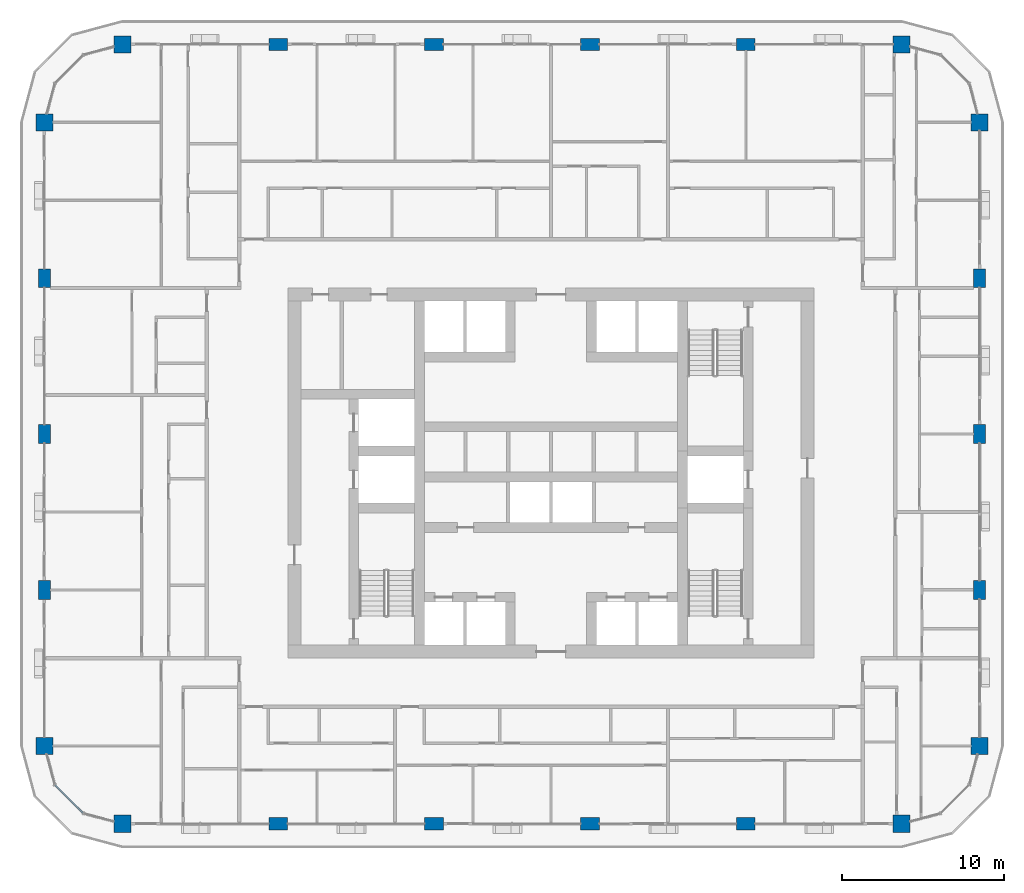
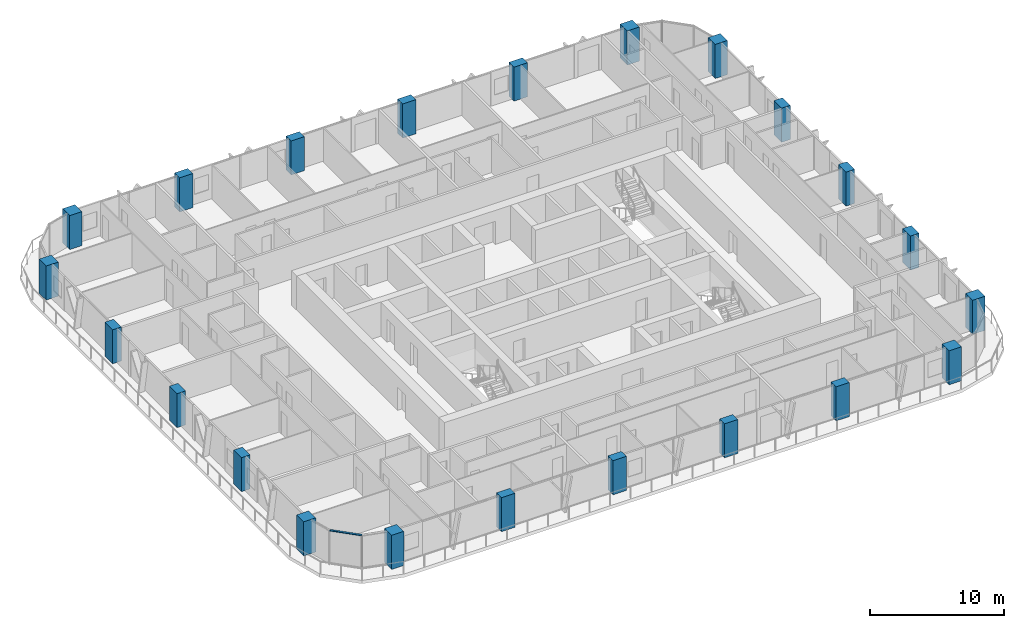
# One storey, part 1 of 22: 22 columns, 1 member, 1 element without a shape of its own.
"""IFC4 building model written with IfcOpenShell, lengths in metres."""

from ifc_helpers import new_model, si_unit, direction, frame, origin, origin_2d, place, context, subcontext, project, spatial, rectangle, extrude, material, layer, layer_set, material_profile, profile_set, type_object, element, aggregate, save


model = new_model("IFC4")

# Units and contexts
model_context = context("Model", 3, precision=1e-05, world=origin(), true_north=direction((0.0, 1.0)))
body_context = subcontext(model_context, "Body", "Model", "MODEL_VIEW")
ifc_project = project(units=[si_unit("LENGTHUNIT", "METRE"), si_unit("AREAUNIT", "SQUARE_METRE"), si_unit("VOLUMEUNIT", "CUBIC_METRE"), si_unit("PLANEANGLEUNIT", "RADIAN"), si_unit("MASSUNIT", "GRAM", prefix="KILO")], contexts=[model_context])

# Site, building, storey
site_placement = place(None, origin())
site = spatial("IfcSite", under=ifc_project, at=site_placement, CompositionType="ELEMENT")
building_placement = place(site_placement, origin())
building = spatial("IfcBuilding", under=site, at=building_placement, Name="Madar Terraces", CompositionType="ELEMENT")
storey_placement = place(building_placement, frame((0.0, 0.0, 140.10009765625)))
storey = spatial("IfcBuildingStorey", under=building, at=storey_placement, Name="L36", CompositionType="ELEMENT", Elevation=140.10009765625)

# Columns
ifc_material_1 = material(Name="Concrete C70/85", Category="concrete")
ifc_material_profile_1 = material_profile(ifc_material_1, rectangle(XDim=1.14990234375, YDim=0.75, at=origin_2d()), Name="CC3 RC 1150x750")
ifc_profile_set_1 = profile_set([ifc_material_profile_1], Name="Concrete C70/85")
column_type_1 = type_object("IfcColumnType", Name="CC3 RC 1150x750", PredefinedType="COLUMN", material=ifc_profile_set_1)
for number, where, z_axis, x_axis, name in (
    (1, (14.39990234375, 4.800048828125, 0.0), (0.0, 0.0, 1.0), (1.0, 0.0, 0.0), "Perimeter column S2"),
    (2, (24.0, 4.800048828125, 0.0), (0.0, 0.0, 1.0), (1.0, 0.0, 0.0), "Perimeter column S3"),
    (3, (33.60009765625, 4.800048828125, 0.0), (0.0, 0.0, 1.0), (1.0, 0.0, 0.0), "Perimeter column S4"),
    (4, (43.199951171875, 4.800048828125, 0.0), (0.0, 0.0, 1.0), (1.0, 0.0, 0.0), "Perimeter column S5"),
    (5, (57.60009765625, 19.199951171875, 0.0), (0.0, 0.0, 1.0), (0.0, 1.0, 0.0), "Perimeter column E2"),
    (6, (57.60009765625, 28.800048828125, 0.0), (0.0, 0.0, 1.0), (0.0, 1.0, 0.0), "Perimeter column E3"),
    (7, (57.60009765625, 38.39990234375, 0.0), (0.0, 0.0, 1.0), (0.0, 1.0, 0.0), "Perimeter column E4"),
    (8, (43.199951171875, 52.800048828125, 0.0), (0.0, 0.0, 1.0), (1.0, 0.0, 0.0), "Perimeter column N2"),
    (9, (33.60009765625, 52.800048828125, 0.0), (0.0, 0.0, 1.0), (1.0, 0.0, 0.0), "Perimeter column N3"),
    (10, (24.0, 52.800048828125, 0.0), (0.0, 0.0, 1.0), (1.0, 0.0, 0.0), "Perimeter column N4"),
    (11, (14.39990234375, 52.800048828125, 0.0), (0.0, 0.0, 1.0), (1.0, 0.0, 0.0), "Perimeter column N5"),
    (12, (0.0, 38.39990234375, 0.0), (0.0, 0.0, 1.0), (0.0, 1.0, 0.0), "Perimeter column W2"),
    (13, (0.0, 28.800048828125, 0.0), (0.0, 0.0, 1.0), (0.0, 1.0, 0.0), "Perimeter column W3"),
    (14, (0.0, 19.199951171875, 0.0), (0.0, 0.0, 1.0), (0.0, 1.0, 0.0), "Perimeter column W4"),
):
    element("IfcColumn", number, at=place(storey_placement, frame(where, z_axis=z_axis, x_axis=x_axis)), inside=storey, type_object=column_type_1, Name=name, PredefinedType="COLUMN", context=body_context, shape_type="SweptSolid", body=[
        extrude(rectangle(XDim=1.14990234375, YDim=0.75, at=origin_2d()), origin(), (0.0, 0.0, 1.0), 3.099853515625),
    ])
ifc_material_2 = material(Name="Concrete C70/85", Category="concrete")
ifc_material_profile_2 = material_profile(ifc_material_2, rectangle(XDim=1.050048828125, YDim=1.050048828125, at=origin_2d()), Name="KC3 RC 1050x1050")
ifc_profile_set_2 = profile_set([ifc_material_profile_2], Name="Concrete C70/85")
column_type_2 = type_object("IfcColumnType", Name="KC3 RC 1050x1050", PredefinedType="COLUMN", material=ifc_profile_set_2)
for number, where, z_axis, x_axis, name in (
    (15, (4.800048828125, 4.800048828125, 0.0), (0.0, 0.0, 1.0), (1.0, 0.0, 0.0), "Perimeter column S1"),
    (16, (52.800048828125, 4.800048828125, 0.0), (0.0, 0.0, 1.0), (1.0, 0.0, 0.0), "Perimeter column S6"),
    (17, (57.60009765625, 9.60009765625, 0.0), (0.0, 0.0, 1.0), (1.0, 0.0, 0.0), "Perimeter column E1"),
    (18, (57.60009765625, 48.0, 0.0), (0.0, 0.0, 1.0), (1.0, 0.0, 0.0), "Perimeter column E5"),
    (19, (52.800048828125, 52.800048828125, 0.0), (0.0, 0.0, 1.0), (1.0, 0.0, 0.0), "Perimeter column N1"),
    (20, (4.800048828125, 52.800048828125, 0.0), (0.0, 0.0, 1.0), (1.0, 0.0, 0.0), "Perimeter column N6"),
    (21, (0.0, 48.0, 0.0), (0.0, 0.0, 1.0), (1.0, 0.0, 0.0), "Perimeter column W1"),
    (22, (0.0, 9.60009765625, 0.0), (0.0, 0.0, 1.0), (1.0, 0.0, 0.0), "Perimeter column W5"),
):
    element("IfcColumn", number, at=place(storey_placement, frame(where, z_axis=z_axis, x_axis=x_axis)), inside=storey, type_object=column_type_2, Name=name, PredefinedType="COLUMN", context=body_context, shape_type="SweptSolid", body=[
        extrude(rectangle(XDim=1.050048828125, YDim=1.050048828125, at=origin_2d()), origin(), (0.0, 0.0, 1.0), 3.099853515625),
    ])

# Curtain wall, member
ifc_material_3 = material(Name="Glass, ceramic frit dark grey, with black aluminium frame", Category="aluminium")
ifc_layer = layer(ifc_material_3, 0.199951171875)
ifc_layer_set = layer_set([ifc_layer], Name="Facade curtain wall, fritted glass")
curtain_wall_type = type_object("IfcCurtainWallType", Name="Facade curtain wall, fritted glass", PredefinedType="NOTDEFINED", material=ifc_layer_set)
curtain_wall_placement = place(storey_placement, origin())
curtain_wall = element("IfcCurtainWall", 23, at=curtain_wall_placement, inside=storey, type_object=curtain_wall_type, Name="Outer skin curtain wall south-west corner", PredefinedType="NOTDEFINED")
ifc_material_4 = material(Name="Aluminium, black anodised", Category="aluminium")
ifc_material_profile_3 = material_profile(ifc_material_4, rectangle(XDim=0.1201171875, YDim=0.06005859375, at=origin_2d()), Name="Facade transom 60x120")
ifc_profile_set_3 = profile_set([ifc_material_profile_3], Name="Aluminium, black anodised")
member_type = type_object("IfcMemberType", Name="Facade transom 60x120", PredefinedType="USERDEFINED", material=ifc_profile_set_3)
member_placement = place(storey_placement, frame((0.664306640625, 7.1787109375, 3.06982421875), z_axis=(0.707157125196, -0.707056433593, 0.0), x_axis=(0.707056433593, 0.707157125196, 0.0)))
member = element("IfcMember", 24, at=member_placement, type_object=member_type, Name="Transom 2", ObjectType="TRANSOM", PredefinedType="USERDEFINED", context=body_context, shape_type="SweptSolid", body=[
    extrude(rectangle(XDim=0.1201171875, YDim=0.06005859375, at=origin_2d()), origin(), (0.0, 0.0, 1.0), 2.424560546875),
])
aggregate(curtain_wall, [member])

save(model, "model.ifc")
